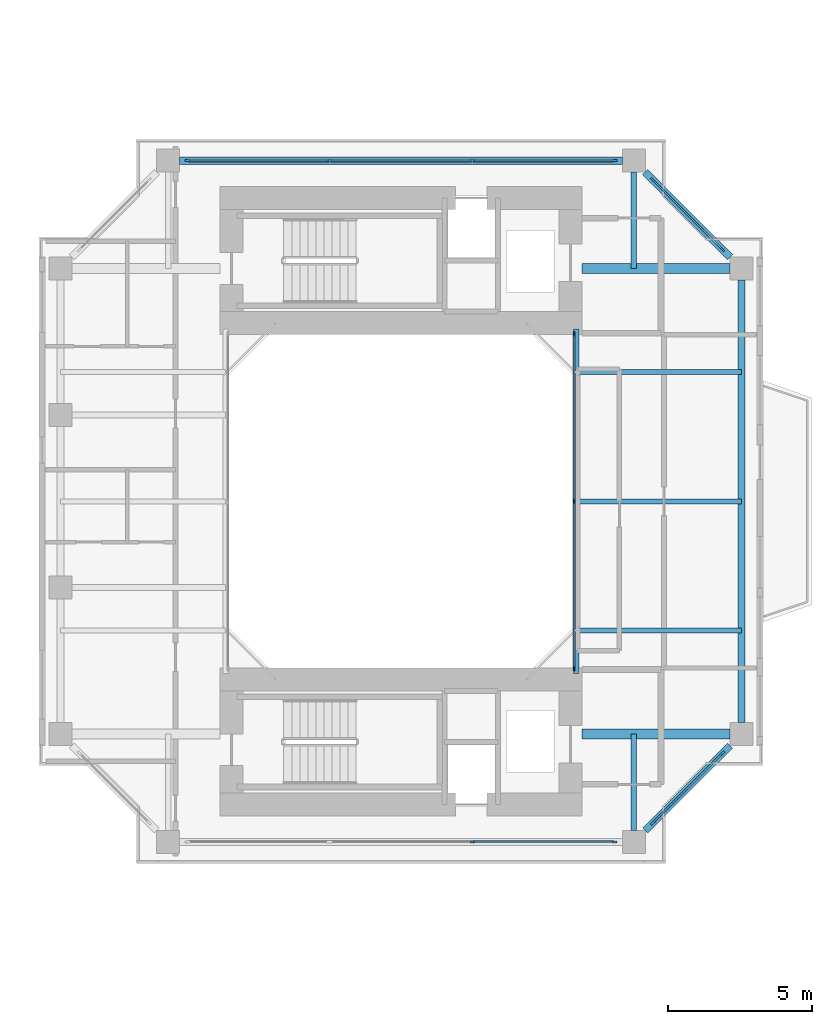
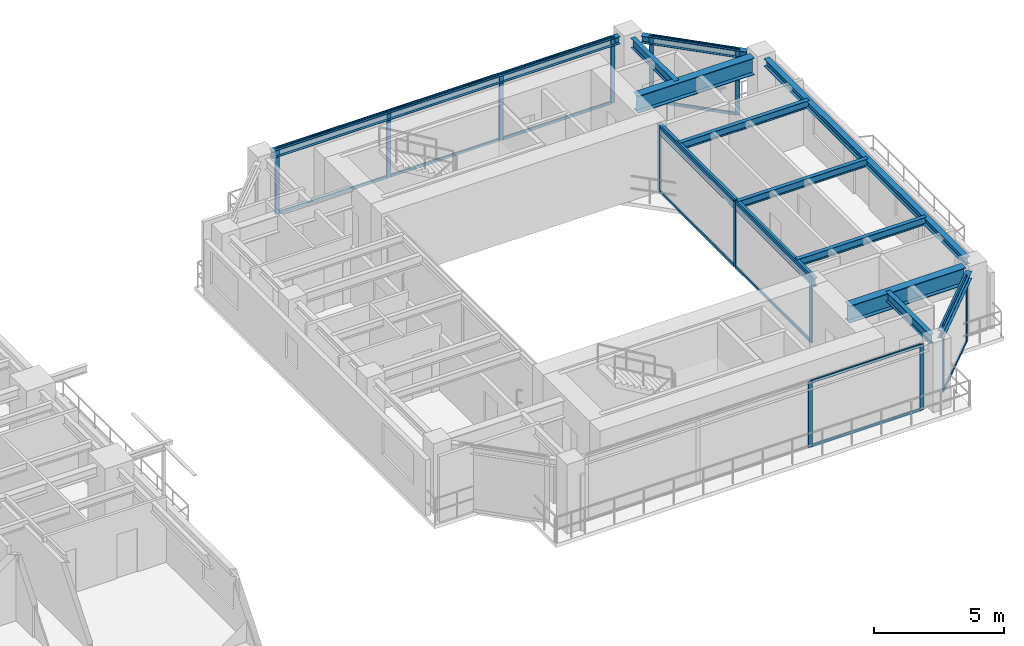
# One storey, part 10 of 23: 29 members, 12 beams, 5 elements without a shape of their own.
"""IFC4 building model written with IfcOpenShell, lengths in metres."""

from ifc_helpers import new_model, si_unit, direction, frame, origin, origin_2d, place, context, subcontext, project, spatial, rectangle, i_section, extrude, source, transform, mapped, material, layer, layer_set, material_profile, profile_set, type_object, element, aggregate, save


model = new_model("IFC4")

# Units and contexts
model_context = context("Model", 3, precision=1e-05, world=origin(), true_north=direction((0.0, 1.0)))
body_context = subcontext(model_context, "Body", "Model", "MODEL_VIEW")
ifc_project = project(units=[si_unit("LENGTHUNIT", "METRE"), si_unit("AREAUNIT", "SQUARE_METRE"), si_unit("VOLUMEUNIT", "CUBIC_METRE"), si_unit("PLANEANGLEUNIT", "RADIAN"), si_unit("MASSUNIT", "GRAM", prefix="KILO"), si_unit("THERMODYNAMICTEMPERATUREUNIT", "KELVIN"), si_unit("POWERUNIT", "WATT")], contexts=[model_context])

# Site, building, storey
site_placement = place(None, origin())
site = spatial("IfcSite", under=ifc_project, at=site_placement, CompositionType="ELEMENT")
building_placement = place(site_placement, origin())
building = spatial("IfcBuilding", under=site, at=building_placement, Name="Qiaomeng Ring Towers", CompositionType="ELEMENT")
storey_placement = place(building_placement, frame((0.0, 0.0, 76.25)))
storey = spatial("IfcBuildingStorey", under=building, at=storey_placement, Name="L21", CompositionType="ELEMENT", Elevation=76.25)

# Beams
ifc_material_1 = material(Name="Steel Q355B", Category="steel")
ifc_material_profile_1 = material_profile(ifc_material_1, i_section(OverallWidth=0.199951171875, OverallDepth=0.39990234375, WebThickness=0.008056640625, FlangeThickness=0.012939453125, FilletRadius=0.01611328125, at=origin_2d()), Name="HN 400x200x8x13")
ifc_profile_set_1 = profile_set([ifc_material_profile_1], Name="Steel Q355B")
beam_type_1 = type_object("IfcBeamType", Name="STR-BM-HN400", PredefinedType="SPANDREL", material=ifc_profile_set_1)
shared_shape_1 = source(origin(), body_context, "Body", "SweptSolid", [
    extrude(i_section(OverallWidth=0.199951171875, OverallDepth=0.39990234375, WebThickness=0.008056640625, FlangeThickness=0.012939453125, FilletRadius=0.01611328125, at=origin_2d()), origin(), (0.0, 0.0, 1.0), 12.0),
])
beam_placement = place(storey_placement, frame((66.60009765625, 17.0, 2.8701171875), z_axis=(0.0, 1.0, 0.0), x_axis=(-1.0, 0.0, 0.0)))
element("IfcBeam", 1, at=beam_placement, inside=storey, type_object=beam_type_1, Name="L21 beam STR-BM-L21-T2-WELL-E", PredefinedType="SPANDREL", context=body_context, shape_type="MappedRepresentation", body=[
    mapped(shared_shape_1, transform((0.0, 0.0, 0.0), x_axis=(1.0, 0.0, 0.0), y_axis=(0.0, 1.0, 0.0), z_axis=(0.0, 0.0, 1.0), scale=1.0)),
])
ifc_material_profile_2 = material_profile(ifc_material_1, i_section(OverallWidth=0.25, OverallDepth=0.340087890625, WebThickness=0.009033203125, FlangeThickness=0.013916015625, FilletRadius=0.02001953125, at=origin_2d()), Name="HM 340x250x9x14")
ifc_profile_set_2 = profile_set([ifc_material_profile_2], Name="Steel Q355B")
beam_type_2 = type_object("IfcBeamType", Name="STR-BM-HM340", PredefinedType="SPANDREL", material=ifc_profile_set_2)
shared_shape_2 = source(origin(), body_context, "Body", "SweptSolid", [
    extrude(i_section(OverallWidth=0.25, OverallDepth=0.340087890625, WebThickness=0.009033203125, FlangeThickness=0.013916015625, FilletRadius=0.02001953125, at=origin_2d()), origin(), (0.0, 0.0, 1.0), 15.40185546875),
])
for number, where, z_axis, x_axis, name in (
    (2, (72.35009765625, 15.299072265625, 2.89990234375), (0.0, 1.0, 0.0), (-1.0, 0.0, 0.0), "L21 beam STR-SP-L21-T2-E1-E2"),
    (3, (68.200927734375, 34.85009765625, 2.89990234375), (-1.0, 0.0, 0.0), (0.0, -1.0, 0.0), "L21 beam STR-SP-L21-T2-N2-N1"),
):
    element("IfcBeam", number, at=place(storey_placement, frame(where, z_axis=z_axis, x_axis=x_axis)), inside=storey, type_object=beam_type_2, Name=name, PredefinedType="SPANDREL", context=body_context, shape_type="MappedRepresentation", body=[
        mapped(shared_shape_2, transform((0.0, 0.0, 0.0), x_axis=(1.0, 0.0, 0.0), y_axis=(0.0, 1.0, 0.0), z_axis=(0.0, 0.0, 1.0), scale=1.0)),
    ])
shared_shape_3 = source(origin(), body_context, "Body", "SweptSolid", [
    extrude(i_section(OverallWidth=0.25, OverallDepth=0.340087890625, WebThickness=0.009033203125, FlangeThickness=0.013916015625, FilletRadius=0.02001953125, at=origin_2d()), origin(), (0.0, 0.0, 1.0), 4.173828125),
])
for number, where, z_axis, x_axis, name in (
    (4, (68.999267578125, 11.54931640625, 2.89990234375), (0.707106781187, 0.707106781187, 0.0), (-0.707106781187, 0.707106781187, 0.0), "L21 beam STR-SP-L21-T2-S2-E1"),
    (5, (71.95068359375, 31.499267578125, 2.89990234375), (-0.707106781187, 0.707106781187, 0.0), (-0.707106781187, -0.707106781187, 0.0), "L21 beam STR-SP-L21-T2-E2-N2"),
):
    element("IfcBeam", number, at=place(storey_placement, frame(where, z_axis=z_axis, x_axis=x_axis)), inside=storey, type_object=beam_type_2, Name=name, PredefinedType="SPANDREL", context=body_context, shape_type="MappedRepresentation", body=[
        mapped(shared_shape_3, transform((0.0, 0.0, 0.0), x_axis=(1.0, 0.0, 0.0), y_axis=(0.0, 1.0, 0.0), z_axis=(0.0, 0.0, 1.0), scale=1.0)),
    ])
ifc_material_2 = material(Name="Steel Q390GJC", Category="steel")
ifc_material_profile_3 = material_profile(ifc_material_2, i_section(OverallWidth=0.35009765625, OverallDepth=0.800048828125, WebThickness=0.01611328125, FlangeThickness=0.028076171875, at=origin_2d()), Name="WH 800x350x16x28")
ifc_profile_set_3 = profile_set([ifc_material_profile_3], Name="Steel Q390GJC")
beam_type_3 = type_object("IfcBeamType", Name="STR-BM-WH800", PredefinedType="BEAM", material=ifc_profile_set_3)
shared_shape_4 = source(origin(), body_context, "Body", "SweptSolid", [
    extrude(i_section(OverallWidth=0.35009765625, OverallDepth=0.800048828125, WebThickness=0.01611328125, FlangeThickness=0.028076171875, at=origin_2d()), origin(), (0.0, 0.0, 1.0), 5.15087890625),
])
for number, where, z_axis, x_axis, name in (
    (6, (66.800048828125, 14.89990234375, 2.669921875), (1.0, 0.0, 0.0), (0.0, 1.0, 0.0), "L21 beam STR-BM-L21-T2-RAD-E1"),
    (7, (66.800048828125, 31.10009765625, 2.669921875), (1.0, 0.0, 0.0), (0.0, 1.0, 0.0), "L21 beam STR-BM-L21-T2-RAD-E2"),
):
    element("IfcBeam", number, at=place(storey_placement, frame(where, z_axis=z_axis, x_axis=x_axis)), inside=storey, type_object=beam_type_3, Name=name, PredefinedType="BEAM", context=body_context, shape_type="MappedRepresentation", body=[
        mapped(shared_shape_4, transform((0.0, 0.0, 0.0), x_axis=(1.0, 0.0, 0.0), y_axis=(0.0, 1.0, 0.0), z_axis=(0.0, 0.0, 1.0), scale=1.0)),
    ])
ifc_material_profile_4 = material_profile(ifc_material_1, i_section(OverallWidth=0.199951171875, OverallDepth=0.449951171875, WebThickness=0.009033203125, FlangeThickness=0.013916015625, FilletRadius=0.01806640625, at=origin_2d()), Name="HN 450x200x9x14")
ifc_profile_set_4 = profile_set([ifc_material_profile_4], Name="Steel Q355B")
beam_type_4 = type_object("IfcBeamType", Name="STR-BM-HN450", PredefinedType="SPANDREL", material=ifc_profile_set_4)
shared_shape_5 = source(origin(), body_context, "Body", "SweptSolid", [
    extrude(i_section(OverallWidth=0.199951171875, OverallDepth=0.449951171875, WebThickness=0.009033203125, FlangeThickness=0.013916015625, FilletRadius=0.01806640625, at=origin_2d()), origin(), (0.0, 0.0, 1.0), 3.350830078125),
])
for number, where, z_axis, x_axis, name in (
    (8, (68.60009765625, 34.450927734375, 2.844970703125), (0.0, -1.0, 0.0), (1.0, 0.0, 0.0), "L21 beam STR-BM-L21-T2-RAD-N2"),
    (9, (68.60009765625, 11.549072265625, 2.844970703125), (0.0, 1.0, 0.0), (-1.0, 0.0, 0.0), "L21 beam STR-BM-L21-T2-RAD-S2"),
):
    element("IfcBeam", number, at=place(storey_placement, frame(where, z_axis=z_axis, x_axis=x_axis)), inside=storey, type_object=beam_type_4, Name=name, PredefinedType="SPANDREL", context=body_context, shape_type="MappedRepresentation", body=[
        mapped(shared_shape_5, transform((0.0, 0.0, 0.0), x_axis=(1.0, 0.0, 0.0), y_axis=(0.0, 1.0, 0.0), z_axis=(0.0, 0.0, 1.0), scale=1.0)),
    ])
ifc_material_profile_5 = material_profile(ifc_material_1, i_section(OverallWidth=0.175048828125, OverallDepth=0.35009765625, WebThickness=0.007080078125, FlangeThickness=0.010986328125, FilletRadius=0.013916015625, at=origin_2d()), Name="HN 350x175x7x11")
ifc_profile_set_5 = profile_set([ifc_material_profile_5], Name="Steel Q355B")
beam_type_5 = type_object("IfcBeamType", Name="STR-BM-HN350", PredefinedType="JOIST", material=ifc_profile_set_5)
shared_shape_6 = source(origin(), body_context, "Body", "SweptSolid", [
    extrude(i_section(OverallWidth=0.175048828125, OverallDepth=0.35009765625, WebThickness=0.007080078125, FlangeThickness=0.010986328125, FilletRadius=0.013916015625, at=origin_2d()), origin(), (0.0, 0.0, 1.0), 5.75),
])
for number, where, z_axis, x_axis, name in (
    (10, (66.60009765625, 18.5, 2.89501953125), (1.0, 0.0, 0.0), (0.0, 1.0, 0.0), "L21 beam STR-JST-L21-T2E-1"),
    (11, (66.60009765625, 23.0, 2.89501953125), (1.0, 0.0, 0.0), (0.0, 1.0, 0.0), "L21 beam STR-JST-L21-T2E-2"),
    (12, (66.60009765625, 27.5, 2.89501953125), (1.0, 0.0, 0.0), (0.0, 1.0, 0.0), "L21 beam STR-JST-L21-T2E-3"),
):
    element("IfcBeam", number, at=place(storey_placement, frame(where, z_axis=z_axis, x_axis=x_axis)), inside=storey, type_object=beam_type_5, Name=name, PredefinedType="JOIST", context=body_context, shape_type="MappedRepresentation", body=[
        mapped(shared_shape_6, transform((0.0, 0.0, 0.0), x_axis=(1.0, 0.0, 0.0), y_axis=(0.0, 1.0, 0.0), z_axis=(0.0, 0.0, 1.0), scale=1.0)),
    ])

# Curtain wall, members
ifc_material_3 = material(Name="Fluorocarbon dark-grey aluminium", Category="aluminium")
ifc_layer_1 = layer(ifc_material_3, 0.139892578125, Name="Fluorocarbon dark-grey aluminium")
ifc_layer_set_1 = layer_set([ifc_layer_1], Name="Fluorocarbon dark-grey aluminium")
curtain_wall_type_1 = type_object("IfcCurtainWallType", Name="ARC-CW-4", PredefinedType="NOTDEFINED", material=ifc_layer_set_1)
curtain_wall_1_placement = place(storey_placement, origin())
curtain_wall_1 = element("IfcCurtainWall", 13, at=curtain_wall_1_placement, inside=storey, type_object=curtain_wall_type_1, Name="L21 Curtain Wall CW4", PredefinedType="NOTDEFINED")
ifc_material_profile_6 = material_profile(ifc_material_3, rectangle(XDim=0.06494140625, YDim=0.159912109375, at=origin_2d()), Name="ALU MULL 65x160")
ifc_profile_set_6 = profile_set([ifc_material_profile_6], Name="Fluorocarbon dark-grey aluminium")
member_type_1 = type_object("IfcMemberType", Name="ARC-CWM-140", PredefinedType="MULLION", material=ifc_profile_set_6)
shared_shape_7 = source(origin(), body_context, "Body", "SweptSolid", [
    extrude(rectangle(XDim=0.06494140625, YDim=0.159912109375, at=origin_2d()), origin(), (0.0, 0.0, 1.0), 3.070068359375),
])
member_1_placement = place(storey_placement, frame((66.52001953125, 17.1826171875, 0.0), z_axis=(0.0, 0.0, 1.0), x_axis=(-1.0, 0.0, 0.0)))
member_1 = element("IfcMember", 14, at=member_1_placement, type_object=member_type_1, Name="CW4 mullion 1", PredefinedType="MULLION", context=body_context, shape_type="MappedRepresentation", body=[
    mapped(shared_shape_7, transform((0.0, 0.0, 0.0), x_axis=(1.0, 0.0, 0.0), y_axis=(0.0, 1.0, 0.0), z_axis=(0.0, 0.0, 1.0), scale=1.0)),
])
member_2_placement = place(storey_placement, frame((66.52001953125, 23.0, 0.0), z_axis=(0.0, 0.0, 1.0), x_axis=(-1.0, 0.0, 0.0)))
member_2 = element("IfcMember", 15, at=member_2_placement, type_object=member_type_1, Name="CW4 mullion 2", PredefinedType="MULLION", context=body_context, shape_type="MappedRepresentation", body=[
    mapped(shared_shape_7, transform((0.0, 0.0, 0.0), x_axis=(1.0, 0.0, 0.0), y_axis=(0.0, 1.0, 0.0), z_axis=(0.0, 0.0, 1.0), scale=1.0)),
])
member_3_placement = place(storey_placement, frame((66.52001953125, 28.8173828125, 0.0), z_axis=(0.0, 0.0, 1.0), x_axis=(-1.0, 0.0, 0.0)))
member_3 = element("IfcMember", 16, at=member_3_placement, type_object=member_type_1, Name="CW4 mullion 3", PredefinedType="MULLION", context=body_context, shape_type="MappedRepresentation", body=[
    mapped(shared_shape_7, transform((0.0, 0.0, 0.0), x_axis=(1.0, 0.0, 0.0), y_axis=(0.0, 1.0, 0.0), z_axis=(0.0, 0.0, 1.0), scale=1.0)),
])
ifc_material_profile_7 = material_profile(ifc_material_3, rectangle(XDim=0.06494140625, YDim=0.1298828125, at=origin_2d()), Name="ALU TRAN 65x130")
ifc_profile_set_7 = profile_set([ifc_material_profile_7], Name="Fluorocarbon dark-grey aluminium")
member_type_2 = type_object("IfcMemberType", Name="ARC-CWT-120", PredefinedType="USERDEFINED", material=ifc_profile_set_7)
shared_shape_8 = source(origin(), body_context, "Body", "SweptSolid", [
    extrude(rectangle(XDim=0.06494140625, YDim=0.1298828125, at=origin_2d()), origin(), (0.0, 0.0, 1.0), 5.75244140625),
])
member_4_placement = place(storey_placement, frame((66.52001953125, 17.215087890625, 0.032470703125), z_axis=(0.0, 1.0, 0.0), x_axis=(-1.0, 0.0, 0.0)))
member_4 = element("IfcMember", 17, at=member_4_placement, type_object=member_type_2, Name="CW4 transom 1.1", ObjectType="TRANSOM", PredefinedType="USERDEFINED", context=body_context, shape_type="MappedRepresentation", body=[
    mapped(shared_shape_8, transform((0.0, 0.0, 0.0), x_axis=(1.0, 0.0, 0.0), y_axis=(0.0, 1.0, 0.0), z_axis=(0.0, 0.0, 1.0), scale=1.0)),
])
member_5_placement = place(storey_placement, frame((66.52001953125, 17.215087890625, 3.03759765625), z_axis=(0.0, 1.0, 0.0), x_axis=(-1.0, 0.0, 0.0)))
member_5 = element("IfcMember", 18, at=member_5_placement, type_object=member_type_2, Name="CW4 transom 1.2", ObjectType="TRANSOM", PredefinedType="USERDEFINED", context=body_context, shape_type="MappedRepresentation", body=[
    mapped(shared_shape_8, transform((0.0, 0.0, 0.0), x_axis=(1.0, 0.0, 0.0), y_axis=(0.0, 1.0, 0.0), z_axis=(0.0, 0.0, 1.0), scale=1.0)),
])
member_6_placement = place(storey_placement, frame((66.52001953125, 23.032470703125, 0.032470703125), z_axis=(0.0, 1.0, 0.0), x_axis=(-1.0, 0.0, 0.0)))
member_6 = element("IfcMember", 19, at=member_6_placement, type_object=member_type_2, Name="CW4 transom 2.1", ObjectType="TRANSOM", PredefinedType="USERDEFINED", context=body_context, shape_type="MappedRepresentation", body=[
    mapped(shared_shape_8, transform((0.0, 0.0, 0.0), x_axis=(1.0, 0.0, 0.0), y_axis=(0.0, 1.0, 0.0), z_axis=(0.0, 0.0, 1.0), scale=1.0)),
])
member_7_placement = place(storey_placement, frame((66.52001953125, 23.032470703125, 3.03759765625), z_axis=(0.0, 1.0, 0.0), x_axis=(-1.0, 0.0, 0.0)))
member_7 = element("IfcMember", 20, at=member_7_placement, type_object=member_type_2, Name="CW4 transom 2.2", ObjectType="TRANSOM", PredefinedType="USERDEFINED", context=body_context, shape_type="MappedRepresentation", body=[
    mapped(shared_shape_8, transform((0.0, 0.0, 0.0), x_axis=(1.0, 0.0, 0.0), y_axis=(0.0, 1.0, 0.0), z_axis=(0.0, 0.0, 1.0), scale=1.0)),
])
aggregate(curtain_wall_1, [member_1, member_2, member_3, member_4, member_5, member_6, member_7])

ifc_layer_2 = layer(ifc_material_3, 0.14990234375, Name="Fluorocarbon dark-grey aluminium")
ifc_layer_set_2 = layer_set([ifc_layer_2], Name="Fluorocarbon dark-grey aluminium")
curtain_wall_type_2 = type_object("IfcCurtainWallType", Name="ARC-CW-5", PredefinedType="NOTDEFINED", material=ifc_layer_set_2)
curtain_wall_2_placement = place(storey_placement, origin())
curtain_wall_2 = element("IfcCurtainWall", 21, at=curtain_wall_2_placement, inside=storey, type_object=curtain_wall_type_2, Name="L21 Curtain Wall CW5", PredefinedType="NOTDEFINED")
ifc_material_profile_8 = material_profile(ifc_material_3, rectangle(XDim=0.070068359375, YDim=0.179931640625, at=origin_2d()), Name="ALU MULL 70x180")
ifc_profile_set_8 = profile_set([ifc_material_profile_8], Name="Fluorocarbon dark-grey aluminium")
member_type_3 = type_object("IfcMemberType", Name="ARC-CWM-160", PredefinedType="MULLION", material=ifc_profile_set_8)
shared_shape_9 = source(origin(), body_context, "Body", "SweptSolid", [
    extrude(rectangle(XDim=0.070068359375, YDim=0.179931640625, at=origin_2d()), origin(), (0.0, 0.0, 1.0), 3.070068359375),
])
member_8_placement = place(storey_placement, frame((53.074951171875, 34.85009765625, 0.0), z_axis=(0.0, 0.0, 1.0), x_axis=(0.0, 1.0, 0.0)))
member_8 = element("IfcMember", 22, at=member_8_placement, type_object=member_type_3, Name="CW5 mullion 1", PredefinedType="MULLION", context=body_context, shape_type="MappedRepresentation", body=[
    mapped(shared_shape_9, transform((0.0, 0.0, 0.0), x_axis=(1.0, 0.0, 0.0), y_axis=(0.0, 1.0, 0.0), z_axis=(0.0, 0.0, 1.0), scale=1.0)),
])
member_9_placement = place(storey_placement, frame((58.013427734375, 34.85009765625, 0.0), z_axis=(0.0, 0.0, 1.0), x_axis=(0.0, 1.0, 0.0)))
member_9 = element("IfcMember", 23, at=member_9_placement, type_object=member_type_3, Name="CW5 mullion 2", PredefinedType="MULLION", context=body_context, shape_type="MappedRepresentation", body=[
    mapped(shared_shape_9, transform((0.0, 0.0, 0.0), x_axis=(1.0, 0.0, 0.0), y_axis=(0.0, 1.0, 0.0), z_axis=(0.0, 0.0, 1.0), scale=1.0)),
])
member_10_placement = place(storey_placement, frame((62.986572265625, 34.85009765625, 0.0), z_axis=(0.0, 0.0, 1.0), x_axis=(0.0, 1.0, 0.0)))
member_10 = element("IfcMember", 24, at=member_10_placement, type_object=member_type_3, Name="CW5 mullion 3", PredefinedType="MULLION", context=body_context, shape_type="MappedRepresentation", body=[
    mapped(shared_shape_9, transform((0.0, 0.0, 0.0), x_axis=(1.0, 0.0, 0.0), y_axis=(0.0, 1.0, 0.0), z_axis=(0.0, 0.0, 1.0), scale=1.0)),
])
member_11_placement = place(storey_placement, frame((67.925048828125, 34.85009765625, 0.0), z_axis=(0.0, 0.0, 1.0), x_axis=(0.0, 1.0, 0.0)))
member_11 = element("IfcMember", 25, at=member_11_placement, type_object=member_type_3, Name="CW5 mullion 4", PredefinedType="MULLION", context=body_context, shape_type="MappedRepresentation", body=[
    mapped(shared_shape_9, transform((0.0, 0.0, 0.0), x_axis=(1.0, 0.0, 0.0), y_axis=(0.0, 1.0, 0.0), z_axis=(0.0, 0.0, 1.0), scale=1.0)),
])

curtain_wall_3_placement = place(storey_placement, origin())
curtain_wall_3 = element("IfcCurtainWall", 26, at=curtain_wall_3_placement, inside=storey, type_object=curtain_wall_type_2, Name="L21 Curtain Wall CW5", PredefinedType="NOTDEFINED")
member_12_placement = place(storey_placement, frame((69.2646484375, 11.814697265625, 0.0), z_axis=(0.0, 0.0, 1.0), x_axis=(-0.707106781187, 0.707106781187, 0.0)))
member_12 = element("IfcMember", 27, at=member_12_placement, type_object=member_type_3, Name="CW5 mullion 1", PredefinedType="MULLION", context=body_context, shape_type="MappedRepresentation", body=[
    mapped(shared_shape_9, transform((0.0, 0.0, 0.0), x_axis=(1.0, 0.0, 0.0), y_axis=(0.0, 1.0, 0.0), z_axis=(0.0, 0.0, 1.0), scale=1.0)),
])
member_13_placement = place(storey_placement, frame((71.685302734375, 14.2353515625, 0.0), z_axis=(0.0, 0.0, 1.0), x_axis=(-0.707106781187, 0.707106781187, 0.0)))
member_13 = element("IfcMember", 28, at=member_13_placement, type_object=member_type_3, Name="CW5 mullion 2", PredefinedType="MULLION", context=body_context, shape_type="MappedRepresentation", body=[
    mapped(shared_shape_9, transform((0.0, 0.0, 0.0), x_axis=(1.0, 0.0, 0.0), y_axis=(0.0, 1.0, 0.0), z_axis=(0.0, 0.0, 1.0), scale=1.0)),
])

curtain_wall_4_placement = place(storey_placement, origin())
curtain_wall_4 = element("IfcCurtainWall", 29, at=curtain_wall_4_placement, inside=storey, type_object=curtain_wall_type_2, Name="L21 Curtain Wall CW5", PredefinedType="NOTDEFINED")
member_14_placement = place(storey_placement, frame((71.685302734375, 31.7646484375, 0.0), z_axis=(0.0, 0.0, 1.0), x_axis=(-0.707106781187, -0.707106781187, 0.0)))
member_14 = element("IfcMember", 30, at=member_14_placement, type_object=member_type_3, Name="CW5 mullion 1", PredefinedType="MULLION", context=body_context, shape_type="MappedRepresentation", body=[
    mapped(shared_shape_9, transform((0.0, 0.0, 0.0), x_axis=(1.0, 0.0, 0.0), y_axis=(0.0, 1.0, 0.0), z_axis=(0.0, 0.0, 1.0), scale=1.0)),
])
member_15_placement = place(storey_placement, frame((69.2646484375, 34.185302734375, 0.0), z_axis=(0.0, 0.0, 1.0), x_axis=(-0.707106781187, -0.707106781187, 0.0)))
member_15 = element("IfcMember", 31, at=member_15_placement, type_object=member_type_3, Name="CW5 mullion 2", PredefinedType="MULLION", context=body_context, shape_type="MappedRepresentation", body=[
    mapped(shared_shape_9, transform((0.0, 0.0, 0.0), x_axis=(1.0, 0.0, 0.0), y_axis=(0.0, 1.0, 0.0), z_axis=(0.0, 0.0, 1.0), scale=1.0)),
])

curtain_wall_5_placement = place(storey_placement, origin())
curtain_wall_5 = element("IfcCurtainWall", 32, at=curtain_wall_5_placement, inside=storey, type_object=curtain_wall_type_2, Name="L21 Curtain Wall CW5", PredefinedType="NOTDEFINED")
member_16_placement = place(storey_placement, frame((62.986572265625, 11.14990234375, 0.0), z_axis=(0.0, 0.0, 1.0), x_axis=(0.0, 1.0, 0.0)))
member_16 = element("IfcMember", 33, at=member_16_placement, type_object=member_type_3, Name="CW5 mullion 3", PredefinedType="MULLION", context=body_context, shape_type="MappedRepresentation", body=[
    mapped(shared_shape_9, transform((0.0, 0.0, 0.0), x_axis=(1.0, 0.0, 0.0), y_axis=(0.0, 1.0, 0.0), z_axis=(0.0, 0.0, 1.0), scale=1.0)),
])
member_17_placement = place(storey_placement, frame((67.925048828125, 11.14990234375, 0.0), z_axis=(0.0, 0.0, 1.0), x_axis=(0.0, 1.0, 0.0)))
member_17 = element("IfcMember", 34, at=member_17_placement, type_object=member_type_3, Name="CW5 mullion 4", PredefinedType="MULLION", context=body_context, shape_type="MappedRepresentation", body=[
    mapped(shared_shape_9, transform((0.0, 0.0, 0.0), x_axis=(1.0, 0.0, 0.0), y_axis=(0.0, 1.0, 0.0), z_axis=(0.0, 0.0, 1.0), scale=1.0)),
])

# Member
shared_shape_10 = source(origin(), body_context, "Body", "SweptSolid", [
    extrude(rectangle(XDim=0.06494140625, YDim=0.1298828125, at=origin_2d()), origin(), (0.0, 0.0, 1.0), 4.8681640625),
])
member_18_placement = place(storey_placement, frame((53.110107421875, 34.85009765625, 0.032470703125), z_axis=(1.0, 0.0, 0.0), x_axis=(0.0, 1.0, 0.0)))
member_18 = element("IfcMember", 35, at=member_18_placement, type_object=member_type_2, Name="CW5 transom 1.1", ObjectType="TRANSOM", PredefinedType="USERDEFINED", context=body_context, shape_type="MappedRepresentation", body=[
    mapped(shared_shape_10, transform((0.0, 0.0, 0.0), x_axis=(1.0, 0.0, 0.0), y_axis=(0.0, 1.0, 0.0), z_axis=(0.0, 0.0, 1.0), scale=1.0)),
])

member_19_placement = place(storey_placement, frame((53.110107421875, 34.85009765625, 3.03759765625), z_axis=(1.0, 0.0, 0.0), x_axis=(0.0, 1.0, 0.0)))
member_19 = element("IfcMember", 36, at=member_19_placement, type_object=member_type_2, Name="CW5 transom 1.2", ObjectType="TRANSOM", PredefinedType="USERDEFINED", context=body_context, shape_type="MappedRepresentation", body=[
    mapped(shared_shape_10, transform((0.0, 0.0, 0.0), x_axis=(1.0, 0.0, 0.0), y_axis=(0.0, 1.0, 0.0), z_axis=(0.0, 0.0, 1.0), scale=1.0)),
])

member_20_placement = place(storey_placement, frame((63.021728515625, 34.85009765625, 0.032470703125), z_axis=(1.0, 0.0, 0.0), x_axis=(0.0, 1.0, 0.0)))
member_20 = element("IfcMember", 37, at=member_20_placement, type_object=member_type_2, Name="CW5 transom 3.1", ObjectType="TRANSOM", PredefinedType="USERDEFINED", context=body_context, shape_type="MappedRepresentation", body=[
    mapped(shared_shape_10, transform((0.0, 0.0, 0.0), x_axis=(1.0, 0.0, 0.0), y_axis=(0.0, 1.0, 0.0), z_axis=(0.0, 0.0, 1.0), scale=1.0)),
])

member_21_placement = place(storey_placement, frame((63.021728515625, 34.85009765625, 3.03759765625), z_axis=(1.0, 0.0, 0.0), x_axis=(0.0, 1.0, 0.0)))
member_21 = element("IfcMember", 38, at=member_21_placement, type_object=member_type_2, Name="CW5 transom 3.2", ObjectType="TRANSOM", PredefinedType="USERDEFINED", context=body_context, shape_type="MappedRepresentation", body=[
    mapped(shared_shape_10, transform((0.0, 0.0, 0.0), x_axis=(1.0, 0.0, 0.0), y_axis=(0.0, 1.0, 0.0), z_axis=(0.0, 0.0, 1.0), scale=1.0)),
])

member_22_placement = place(storey_placement, frame((63.021728515625, 11.14990234375, 0.032470703125), z_axis=(1.0, 0.0, 0.0), x_axis=(0.0, 1.0, 0.0)))
member_22 = element("IfcMember", 39, at=member_22_placement, type_object=member_type_2, Name="CW5 transom 3.1", ObjectType="TRANSOM", PredefinedType="USERDEFINED", context=body_context, shape_type="MappedRepresentation", body=[
    mapped(shared_shape_10, transform((0.0, 0.0, 0.0), x_axis=(1.0, 0.0, 0.0), y_axis=(0.0, 1.0, 0.0), z_axis=(0.0, 0.0, 1.0), scale=1.0)),
])

member_23_placement = place(storey_placement, frame((63.021728515625, 11.14990234375, 3.03759765625), z_axis=(1.0, 0.0, 0.0), x_axis=(0.0, 1.0, 0.0)))
member_23 = element("IfcMember", 40, at=member_23_placement, type_object=member_type_2, Name="CW5 transom 3.2", ObjectType="TRANSOM", PredefinedType="USERDEFINED", context=body_context, shape_type="MappedRepresentation", body=[
    mapped(shared_shape_10, transform((0.0, 0.0, 0.0), x_axis=(1.0, 0.0, 0.0), y_axis=(0.0, 1.0, 0.0), z_axis=(0.0, 0.0, 1.0), scale=1.0)),
])

aggregate(curtain_wall_5, [member_16, member_17, member_22, member_23])

shared_shape_11 = source(origin(), body_context, "Body", "SweptSolid", [
    extrude(rectangle(XDim=0.06494140625, YDim=0.1298828125, at=origin_2d()), origin(), (0.0, 0.0, 1.0), 4.9033203125),
])
member_24_placement = place(storey_placement, frame((58.04833984375, 34.85009765625, 0.032470703125), z_axis=(1.0, 0.0, 0.0), x_axis=(0.0, 1.0, 0.0)))
member_24 = element("IfcMember", 41, at=member_24_placement, type_object=member_type_2, Name="CW5 transom 2.1", ObjectType="TRANSOM", PredefinedType="USERDEFINED", context=body_context, shape_type="MappedRepresentation", body=[
    mapped(shared_shape_11, transform((0.0, 0.0, 0.0), x_axis=(1.0, 0.0, 0.0), y_axis=(0.0, 1.0, 0.0), z_axis=(0.0, 0.0, 1.0), scale=1.0)),
])

member_25_placement = place(storey_placement, frame((58.04833984375, 34.85009765625, 3.03759765625), z_axis=(1.0, 0.0, 0.0), x_axis=(0.0, 1.0, 0.0)))
member_25 = element("IfcMember", 42, at=member_25_placement, type_object=member_type_2, Name="CW5 transom 2.2", ObjectType="TRANSOM", PredefinedType="USERDEFINED", context=body_context, shape_type="MappedRepresentation", body=[
    mapped(shared_shape_11, transform((0.0, 0.0, 0.0), x_axis=(1.0, 0.0, 0.0), y_axis=(0.0, 1.0, 0.0), z_axis=(0.0, 0.0, 1.0), scale=1.0)),
])

aggregate(curtain_wall_2, [member_8, member_9, member_10, member_11, member_18, member_19, member_24, member_25, member_20, member_21])

shared_shape_12 = source(origin(), body_context, "Body", "SweptSolid", [
    extrude(rectangle(XDim=0.06494140625, YDim=0.1298828125, at=origin_2d()), origin(), (0.0, 0.0, 1.0), 3.352783203125),
])
member_26_placement = place(storey_placement, frame((69.28955078125, 11.839599609375, 0.032470703125), z_axis=(0.707106781187, 0.707106781187, 0.0), x_axis=(-0.707106781187, 0.707106781187, 0.0)))
member_26 = element("IfcMember", 43, at=member_26_placement, type_object=member_type_2, Name="CW5 transom 1.1", ObjectType="TRANSOM", PredefinedType="USERDEFINED", context=body_context, shape_type="MappedRepresentation", body=[
    mapped(shared_shape_12, transform((0.0, 0.0, 0.0), x_axis=(1.0, 0.0, 0.0), y_axis=(0.0, 1.0, 0.0), z_axis=(0.0, 0.0, 1.0), scale=1.0)),
])

member_27_placement = place(storey_placement, frame((69.28955078125, 11.839599609375, 3.03759765625), z_axis=(0.707106781187, 0.707106781187, 0.0), x_axis=(-0.707106781187, 0.707106781187, 0.0)))
member_27 = element("IfcMember", 44, at=member_27_placement, type_object=member_type_2, Name="CW5 transom 1.2", ObjectType="TRANSOM", PredefinedType="USERDEFINED", context=body_context, shape_type="MappedRepresentation", body=[
    mapped(shared_shape_12, transform((0.0, 0.0, 0.0), x_axis=(1.0, 0.0, 0.0), y_axis=(0.0, 1.0, 0.0), z_axis=(0.0, 0.0, 1.0), scale=1.0)),
])

aggregate(curtain_wall_3, [member_12, member_13, member_26, member_27])

member_28_placement = place(storey_placement, frame((71.660400390625, 31.78955078125, 0.032470703125), z_axis=(-0.707106781187, 0.707106781187, 0.0), x_axis=(-0.707106781187, -0.707106781187, 0.0)))
member_28 = element("IfcMember", 45, at=member_28_placement, type_object=member_type_2, Name="CW5 transom 1.1", ObjectType="TRANSOM", PredefinedType="USERDEFINED", context=body_context, shape_type="MappedRepresentation", body=[
    mapped(shared_shape_12, transform((0.0, 0.0, 0.0), x_axis=(1.0, 0.0, 0.0), y_axis=(0.0, 1.0, 0.0), z_axis=(0.0, 0.0, 1.0), scale=1.0)),
])

member_29_placement = place(storey_placement, frame((71.660400390625, 31.78955078125, 3.03759765625), z_axis=(-0.707106781187, 0.707106781187, 0.0), x_axis=(-0.707106781187, -0.707106781187, 0.0)))
member_29 = element("IfcMember", 46, at=member_29_placement, type_object=member_type_2, Name="CW5 transom 1.2", ObjectType="TRANSOM", PredefinedType="USERDEFINED", context=body_context, shape_type="MappedRepresentation", body=[
    mapped(shared_shape_12, transform((0.0, 0.0, 0.0), x_axis=(1.0, 0.0, 0.0), y_axis=(0.0, 1.0, 0.0), z_axis=(0.0, 0.0, 1.0), scale=1.0)),
])

aggregate(curtain_wall_4, [member_14, member_15, member_28, member_29])

save(model, "model.ifc")
